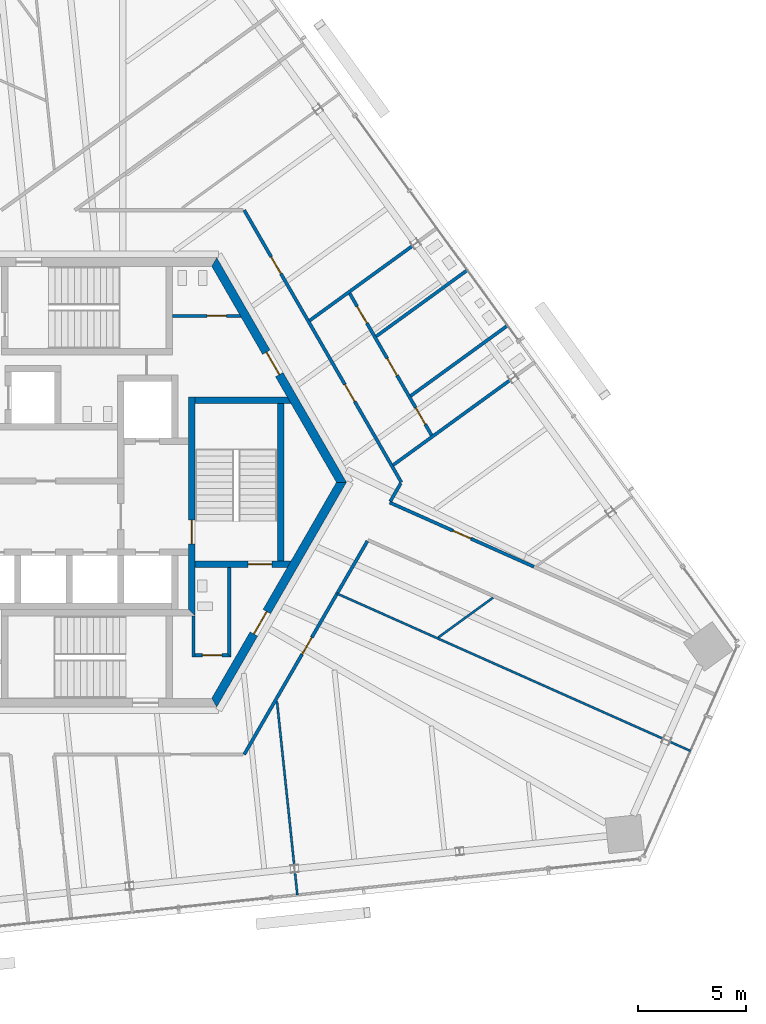
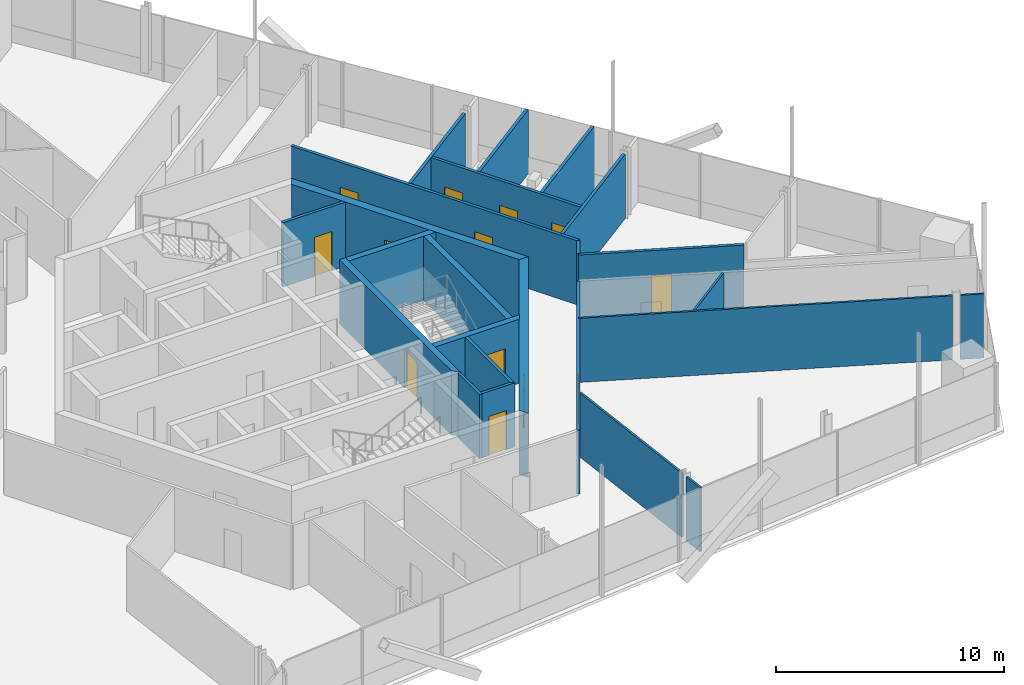
# One storey, part 13 of 21: 24 walls, 13 doors, 13 openings.
"""IFC4 building model written with IfcOpenShell, lengths in metres."""

from ifc_helpers import new_model, si_unit, direction, frame, frame_2d, origin, place, context, subcontext, project, spatial, polyline, rectangle, outline, extrude, source, transform, mapped, material, layer, layer_set, type_object, element, fill, save


model = new_model("IFC4")

# Units and contexts
model_context = context("Model", 3, precision=1e-05, world=origin(), true_north=direction((0.0, 1.0)))
body_context = subcontext(model_context, "Body", "Model", "MODEL_VIEW")
ifc_project = project(units=[si_unit("LENGTHUNIT", "METRE"), si_unit("AREAUNIT", "SQUARE_METRE"), si_unit("VOLUMEUNIT", "CUBIC_METRE"), si_unit("PLANEANGLEUNIT", "RADIAN"), si_unit("MASSUNIT", "GRAM", prefix="KILO")], contexts=[model_context])

# Site, building, storey
site_placement = place(None, origin())
site = spatial("IfcSite", under=ifc_project, at=site_placement, CompositionType="ELEMENT")
building_placement = place(site_placement, origin())
building = spatial("IfcBuilding", under=site, at=building_placement, Name="Triune Harvest Tower", CompositionType="ELEMENT")
storey_placement = place(building_placement, frame((0.0, 0.0, 241.300048828125)))
storey = spatial("IfcBuildingStorey", under=building, at=storey_placement, Name="L63", CompositionType="ELEMENT", Elevation=241.300048828125)

# Wall, openings, doors
ifc_material_1 = material(Name="Gypsum board on steel studs", Category="steel")
ifc_layer_1 = layer(ifc_material_1, 0.14990234375)
ifc_layer_set_1 = layer_set([ifc_layer_1], Name="Gypsum board on steel studs")
wall_type_1 = type_object("IfcWallType", Name="Fire Partition 150 mm", PredefinedType="PARTITIONING", material=ifc_layer_set_1)
wall_1_placement = place(storey_placement, frame((12.114501953125, 8.8017578125, 0.0), z_axis=(0.0, 0.0, 1.0), x_axis=(0.499995228395, -0.866028158654, 0.0)))
wall_1 = element("IfcWall", 1, at=wall_1_placement, inside=storey, type_object=wall_type_1, Name="Partition L63 017", PredefinedType="PARTITIONING", context=body_context, shape_type="SweptSolid", body=[
    extrude(rectangle(XDim=7.7216796875, YDim=0.14990234375, at=frame_2d((3.86083984375, 0.0))), origin(), (0.0, 0.0, 1.0), 3.43994140625),
])
opening_1_placement = place(wall_1_placement, frame((6.171875, 0.0, 0.0)))
opening_1 = element("IfcOpeningElement", 2, at=opening_1_placement, cuts=wall_1, Name="Opening L63-005", PredefinedType="OPENING", context=body_context, shape_type="SweptSolid", body=[
    extrude(rectangle(XDim=0.89990234375, YDim=2.10009765625, at=frame_2d((0.449951171875, 1.050048828125))), frame((0.0, 0.0849609375, 0.0), z_axis=(0.0, -1.0, 0.0), x_axis=(1.0, 0.0, 0.0)), (0.0, 0.0, 1.0), 0.169921875),
])
opening_2_placement = place(wall_1_placement, frame((3.548583984375, 0.0, 0.0)))
opening_2 = element("IfcOpeningElement", 3, at=opening_2_placement, cuts=wall_1, Name="Opening L63-006", PredefinedType="OPENING", context=body_context, shape_type="SweptSolid", body=[
    extrude(rectangle(XDim=0.89990234375, YDim=2.10009765625, at=frame_2d((0.449951171875, 1.050048828125))), frame((0.0, 0.0849609375, 0.0), z_axis=(0.0, -1.0, 0.0), x_axis=(1.0, 0.0, 0.0)), (0.0, 0.0, 1.0), 0.169921875),
])
opening_3_placement = place(wall_1_placement, frame((0.76318359375, 0.0, 0.0)))
opening_3 = element("IfcOpeningElement", 4, at=opening_3_placement, cuts=wall_1, Name="Opening L63-007", PredefinedType="OPENING", context=body_context, shape_type="SweptSolid", body=[
    extrude(rectangle(XDim=0.89990234375, YDim=2.10009765625, at=frame_2d((0.449951171875, 1.050048828125))), frame((0.0, 0.0849609375, 0.0), z_axis=(0.0, -1.0, 0.0), x_axis=(1.0, 0.0, 0.0)), (0.0, 0.0, 1.0), 0.169921875),
])
ifc_material_2 = material(Name="Timber and steel door set", Category="steel")
door_type_1 = type_object("IfcDoorType", Name="Single leaf door FD30 left hand 900 x 2100", OperationType="SINGLE_SWING_LEFT", PredefinedType="DOOR", material=ifc_material_2)
door_1_placement = place(opening_3_placement, origin())
door_1 = element("IfcDoor", 5, at=door_1_placement, inside=storey, type_object=door_type_1, Name="Door L63-007 Accessible WC 63.07", OperationType="SINGLE_SWING_LEFT", OverallHeight=2.10009765625, OverallWidth=0.89990234375, PredefinedType="DOOR", context=body_context, shape_type="SweptSolid", body=[
    extrude(rectangle(XDim=0.89990234375, YDim=2.10009765625, at=frame_2d((0.449951171875, 1.050048828125))), frame((0.0, 0.02490234375, 0.0), z_axis=(0.0, -1.0, 0.0), x_axis=(1.0, 0.0, 0.0)), (0.0, 0.0, 1.0), 0.050048828125),
])
fill(opening_3, door_1)
ifc_material_3 = material(Name="Timber and steel door set", Category="steel")
door_type_2 = type_object("IfcDoorType", Name="Single leaf door FD30 right hand 900 x 2100", OperationType="SINGLE_SWING_RIGHT", PredefinedType="DOOR", material=ifc_material_3)
door_2_placement = place(opening_1_placement, origin())
door_2 = element("IfcDoor", 6, at=door_2_placement, inside=storey, type_object=door_type_2, Name="Door L63-005 Women's WC 63.05", OperationType="SINGLE_SWING_RIGHT", OverallHeight=2.10009765625, OverallWidth=0.89990234375, PredefinedType="DOOR", context=body_context, shape_type="SweptSolid", body=[
    extrude(rectangle(XDim=0.89990234375, YDim=2.10009765625, at=frame_2d((0.449951171875, 1.050048828125))), frame((0.0, 0.02490234375, 0.0), z_axis=(0.0, -1.0, 0.0), x_axis=(1.0, 0.0, 0.0)), (0.0, 0.0, 1.0), 0.050048828125),
])
fill(opening_1, door_2)
door_3_placement = place(opening_2_placement, origin())
door_3 = element("IfcDoor", 7, at=door_3_placement, inside=storey, type_object=door_type_2, Name="Door L63-006 Men's WC 63.06", OperationType="SINGLE_SWING_RIGHT", OverallHeight=2.10009765625, OverallWidth=0.89990234375, PredefinedType="DOOR", context=body_context, shape_type="SweptSolid", body=[
    extrude(rectangle(XDim=0.89990234375, YDim=2.10009765625, at=frame_2d((0.449951171875, 1.050048828125))), frame((0.0, 0.02490234375, 0.0), z_axis=(0.0, -1.0, 0.0), x_axis=(1.0, 0.0, 0.0)), (0.0, 0.0, 1.0), 0.050048828125),
])
fill(opening_2, door_3)

# Wall, opening, door
wall_2_placement = place(storey_placement, frame((14.000244140625, -0.935546875, 0.0), z_axis=(0.0, 0.0, 1.0), x_axis=(0.913546612012, -0.40673405031, 0.0)))
wall_2 = element("IfcWall", 8, at=wall_2_placement, inside=storey, type_object=wall_type_1, Name="Partition L63 026", PredefinedType="PARTITIONING", context=body_context, shape_type="SweptSolid", body=[
    extrude(rectangle(XDim=7.301513671875, YDim=0.14990234375, at=frame_2d((3.65087890625, 0.0))), origin(), (0.0, 0.0, 1.0), 3.43994140625),
])
opening_4_placement = place(wall_2_placement, frame((3.208740234375, 0.0, 0.0)))
opening_4 = element("IfcOpeningElement", 9, at=opening_4_placement, cuts=wall_2, Name="Opening L63-003", PredefinedType="OPENING", context=body_context, shape_type="SweptSolid", body=[
    extrude(rectangle(XDim=0.89990234375, YDim=2.10009765625, at=frame_2d((0.449951171875, 1.050048828125))), frame((0.0, 0.0849609375, 0.0), z_axis=(0.0, -1.0, 0.0), x_axis=(1.0, 0.0, 0.0)), (0.0, 0.0, 1.0), 0.169921875),
])
door_4_placement = place(opening_4_placement, origin())
door_4 = element("IfcDoor", 10, at=door_4_placement, inside=storey, type_object=door_type_1, Name="Door L63-003 Project Room 63.03", OperationType="SINGLE_SWING_LEFT", OverallHeight=2.10009765625, OverallWidth=0.89990234375, PredefinedType="DOOR", context=body_context, shape_type="SweptSolid", body=[
    extrude(rectangle(XDim=0.89990234375, YDim=2.10009765625, at=frame_2d((0.449951171875, 1.050048828125))), frame((0.0, 0.02490234375, 0.0), z_axis=(0.0, -1.0, 0.0), x_axis=(1.0, 0.0, 0.0)), (0.0, 0.0, 1.0), 0.050048828125),
])
fill(opening_4, door_4)

# Walls
wall_3_placement = place(storey_placement, frame((14.15283203125, 0.790283203125, 0.0), z_axis=(0.0, 0.0, 1.0), x_axis=(0.809008364144, 0.587797130602, 0.0)))
element("IfcWall", 11, at=wall_3_placement, inside=storey, type_object=wall_type_1, Name="Partition L63 039", PredefinedType="PARTITIONING", context=body_context, shape_type="SweptSolid", body=[
    extrude(rectangle(XDim=6.705810546875, YDim=0.14990234375, at=frame_2d((3.35302734375, 0.0))), origin(), (0.0, 0.0, 1.0), 3.43994140625),
])
wall_4_placement = place(storey_placement, frame((14.962158203125, 3.98876953125, 0.0), z_axis=(0.0, 0.0, 1.0), x_axis=(0.809032498403, 0.587763912237, 0.0)))
element("IfcWall", 12, at=wall_4_placement, inside=storey, type_object=wall_type_1, Name="Partition L63 041", PredefinedType="PARTITIONING", context=body_context, shape_type="SweptSolid", body=[
    extrude(rectangle(XDim=5.554443359375, YDim=0.14990234375, at=frame_2d((2.77734375, 0.0))), origin(), (0.0, 0.0, 1.0), 3.43994140625),
])
wall_5_placement = place(storey_placement, frame((13.36962890625, 6.7470703125, 0.0), z_axis=(0.0, 0.0, 1.0), x_axis=(0.809025117745, 0.58777407127, 0.0)))
element("IfcWall", 13, at=wall_5_placement, inside=storey, type_object=wall_type_1, Name="Partition L63 042", PredefinedType="PARTITIONING", context=body_context, shape_type="SweptSolid", body=[
    extrude(rectangle(XDim=5.221435546875, YDim=0.14990234375, at=frame_2d((2.61083984375, 0.0))), origin(), (0.0, 0.0, 1.0), 3.43994140625),
])
wall_6_placement = place(storey_placement, frame((10.2919921875, 7.4775390625, 0.0), z_axis=(0.0, 0.0, 1.0), x_axis=(0.809016999343, 0.587785245455, 0.0)))
element("IfcWall", 14, at=wall_6_placement, inside=storey, type_object=wall_type_1, Name="Partition L63 044", PredefinedType="PARTITIONING", context=body_context, shape_type="SweptSolid", body=[
    extrude(rectangle(XDim=5.8984375, YDim=0.14990234375, at=frame_2d((2.94921875, 0.0))), origin(), (0.0, 0.0, 1.0), 3.43994140625),
])

# Wall, opening, door
wall_7_placement = place(storey_placement, frame((7.2705078125, -12.59228515625, 0.0), z_axis=(0.0, 0.0, 1.0), x_axis=(0.499972122318, 0.866041498374, 0.0)))
wall_7 = element("IfcWall", 15, at=wall_7_placement, inside=storey, type_object=wall_type_1, Name="Partition L63 053", PredefinedType="PARTITIONING", context=body_context, shape_type="SweptSolid", body=[
    extrude(rectangle(XDim=11.399169921875, YDim=0.14990234375, at=frame_2d((5.69970703125, 0.0))), origin(), (0.0, 0.0, 1.0), 3.43994140625),
])
opening_5_placement = place(wall_7_placement, frame((5.353515625, 0.0, 0.0)))
opening_5 = element("IfcOpeningElement", 16, at=opening_5_placement, cuts=wall_7, Name="Opening L63-024", PredefinedType="OPENING", context=body_context, shape_type="SweptSolid", body=[
    extrude(rectangle(XDim=0.89990234375, YDim=2.10009765625, at=frame_2d((0.449951171875, 1.050048828125))), frame((0.0, 0.0849609375, 0.0), z_axis=(0.0, -1.0, 0.0), x_axis=(1.0, 0.0, 0.0)), (0.0, 0.0, 1.0), 0.169921875),
])
door_5_placement = place(opening_5_placement, origin())
door_5 = element("IfcDoor", 17, at=door_5_placement, inside=storey, type_object=door_type_1, Name="Door L63-024 Pantry 63.24", OperationType="SINGLE_SWING_LEFT", OverallHeight=2.10009765625, OverallWidth=0.89990234375, PredefinedType="DOOR", context=body_context, shape_type="SweptSolid", body=[
    extrude(rectangle(XDim=0.89990234375, YDim=2.10009765625, at=frame_2d((0.449951171875, 1.050048828125))), frame((0.0, 0.02490234375, 0.0), z_axis=(0.0, -1.0, 0.0), x_axis=(1.0, 0.0, 0.0)), (0.0, 0.0, 1.0), 0.050048828125),
])
fill(opening_5, door_5)

# Walls
ifc_material_4 = material(Name="Gypsum board on steel studs", Category="steel")
ifc_layer_2 = layer(ifc_material_4, 0.10009765625)
ifc_layer_set_2 = layer_set([ifc_layer_2], Name="Gypsum board on steel studs")
wall_type_2 = type_object("IfcWallType", Name="Partition 100 mm", PredefinedType="PARTITIONING", material=ifc_layer_set_2)
wall_8_placement = place(storey_placement, frame((8.78857421875, -10.150390625, 0.0), z_axis=(0.0, 0.0, 1.0), x_axis=(0.104536087369, -0.994521094013, 0.0)))
element("IfcWall", 18, at=wall_8_placement, inside=storey, type_object=wall_type_2, Name="Partition L63 013", PredefinedType="PARTITIONING", context=body_context, shape_type="SweptSolid", body=[
    extrude(rectangle(XDim=7.606689453125, YDim=0.10009765625, at=frame_2d((3.80322265625, 0.0))), origin(), (0.0, 0.0, 1.0), 3.43994140625),
])
wall_9_placement = place(storey_placement, frame((11.56689453125, -5.14990234375, 0.0), z_axis=(0.0, 0.0, 1.0), x_axis=(0.913548030492, -0.406730864311, 0.0)))
element("IfcWall", 19, at=wall_9_placement, inside=storey, type_object=wall_type_2, Name="Partition L63 021", PredefinedType="PARTITIONING", context=body_context, shape_type="SweptSolid", body=[
    extrude(rectangle(XDim=16.5166015625, YDim=0.10009765625, at=frame_2d((8.25830078125, 0.0))), origin(), (0.0, 0.0, 1.0), 3.43994140625),
])

# Wall, opening, door
ifc_material_5 = material(Name="Concrete 70 MPa", Category="concrete")
ifc_layer_3 = layer(ifc_material_5, 0.39990234375)
ifc_layer_set_3 = layer_set([ifc_layer_3], Name="Concrete 70 MPa")
wall_type_3 = type_object("IfcWallType", Name="Core wall 400", PredefinedType="SHEAR", material=ifc_layer_set_3)
shared_shape_1 = source(origin(), body_context, "Body", "SweptSolid", [
    extrude(outline(polyline([(-0.115478515625, -0.199951171875), (11.884521484375, -0.199951171875), (11.653564453125, 0.199951171875), (0.115478515625, 0.199951171875), (-0.115478515625, -0.199951171875)])), origin(), (0.0, 0.0, 1.0), 3.43994140625),
])
wall_10_placement = place(storey_placement, frame((11.76904296875, 0.0, 0.0), z_axis=(0.0, 0.0, 1.0), x_axis=(-0.499996592174, 0.866027371285, 0.0)))
wall_10 = element("IfcWall", 20, at=wall_10_placement, inside=storey, type_object=wall_type_3, Name="Hexagon 0 wall", PredefinedType="SHEAR", context=body_context, shape_type="MappedRepresentation", body=[
    mapped(shared_shape_1, transform((0.0, 0.0, 0.0), scale=1.0)),
])
opening_6_placement = place(wall_10_placement, frame((5.75048828125, 0.0, 0.0)))
opening_6 = element("IfcOpeningElement", 21, at=opening_6_placement, cuts=wall_10, Name="Opening CD-WCP", PredefinedType="OPENING", context=body_context, shape_type="SweptSolid", body=[
    extrude(rectangle(XDim=1.199951171875, YDim=2.10009765625, at=frame_2d((0.60009765625, 1.050048828125))), frame((0.0, 0.2099609375, 0.0), z_axis=(0.0, -1.0, 0.0), x_axis=(1.0, 0.0, 0.0)), (0.0, 0.0, 1.0), 0.419921875),
])
ifc_material_6 = material(Name="Steel S235", Category="steel")
door_type_3 = type_object("IfcDoorType", Name="Lobby door 1200 FD120", OperationType="SINGLE_SWING_LEFT", PredefinedType="DOOR", material=ifc_material_6)
door_6_placement = place(opening_6_placement, frame((1.199951171875, 0.0, 0.0), z_axis=(0.0, 0.0, 1.0), x_axis=(-1.0, 0.0, 0.0)))
door_6 = element("IfcDoor", 22, at=door_6_placement, inside=storey, type_object=door_type_3, Name="Door CD-WCP", OperationType="SINGLE_SWING_RIGHT", OverallHeight=2.10009765625, OverallWidth=1.199951171875, PredefinedType="DOOR", context=body_context, shape_type="SweptSolid", body=[
    extrude(rectangle(XDim=1.199951171875, YDim=2.10009765625, at=frame_2d((0.60009765625, 1.050048828125))), frame((0.0, 0.02490234375, 0.0), z_axis=(0.0, -1.0, 0.0), x_axis=(1.0, 0.0, 0.0)), (0.0, 0.0, 1.0), 0.050048828125),
])
fill(opening_6, door_6)

wall_11_placement = place(storey_placement, frame((5.884521484375, -10.1923828125, 0.0), z_axis=(0.0, 0.0, 1.0), x_axis=(0.499996592174, 0.866027371285, 0.0)))
wall_11 = element("IfcWall", 23, at=wall_11_placement, inside=storey, type_object=wall_type_3, Name="Hexagon 5 wall", PredefinedType="SHEAR", context=body_context, shape_type="MappedRepresentation", body=[
    mapped(shared_shape_1, transform((0.0, 0.0, 0.0), scale=1.0)),
])
opening_7_placement = place(wall_11_placement, frame((3.66455078125, 0.0, 0.0)))
opening_7 = element("IfcOpeningElement", 24, at=opening_7_placement, cuts=wall_11, Name="Opening CD-DP", PredefinedType="OPENING", context=body_context, shape_type="SweptSolid", body=[
    extrude(rectangle(XDim=1.199951171875, YDim=2.10009765625, at=frame_2d((0.60009765625, 1.050048828125))), frame((0.0, 0.2099609375, 0.0), z_axis=(0.0, -1.0, 0.0), x_axis=(1.0, 0.0, 0.0)), (0.0, 0.0, 1.0), 0.419921875),
])
ifc_material_7 = material(Name="Steel S235", Category="steel")
door_type_4 = type_object("IfcDoorType", Name="Stair door 1200 FD120", OperationType="SINGLE_SWING_LEFT", PredefinedType="DOOR", material=ifc_material_7)
door_7_placement = place(opening_7_placement, frame((1.199951171875, 0.0, 0.0), z_axis=(0.0, 0.0, 1.0), x_axis=(-1.0, 0.0, 0.0)))
door_7 = element("IfcDoor", 25, at=door_7_placement, inside=storey, type_object=door_type_4, Name="Door CD-DP", OperationType="SINGLE_SWING_RIGHT", OverallHeight=2.10009765625, OverallWidth=1.199951171875, PredefinedType="DOOR", context=body_context, shape_type="SweptSolid", body=[
    extrude(rectangle(XDim=1.199951171875, YDim=2.10009765625, at=frame_2d((0.60009765625, 1.050048828125))), frame((0.0, 0.02490234375, 0.0), z_axis=(0.0, -1.0, 0.0), x_axis=(1.0, 0.0, 0.0)), (0.0, 0.0, 1.0), 0.050048828125),
])
fill(opening_7, door_7)

ifc_material_8 = material(Name="Concrete 70 MPa", Category="concrete")
ifc_layer_4 = layer(ifc_material_8, 0.300048828125)
ifc_layer_set_4 = layer_set([ifc_layer_4], Name="Concrete 70 MPa")
wall_type_4 = type_object("IfcWallType", Name="Core wall 300", PredefinedType="SHEAR", material=ifc_layer_set_4)
shared_shape_2 = source(origin(), body_context, "Body", "SweptSolid", [
    extrude(outline(polyline([(-0.14990234375, -0.14990234375), (9.989990234375, -0.14990234375), (9.989990234375, 0.14990234375), (0.14990234375, 0.14990234375), (-0.14990234375, -0.14990234375)])), origin(), (0.0, 0.0, 1.0), 3.43994140625),
])
wall_12_placement = place(storey_placement, frame((4.85009765625, -6.0400390625, 0.0), z_axis=(0.0, 0.0, 1.0), x_axis=(0.0, 1.0, 0.0)))
wall_12 = element("IfcWall", 26, at=wall_12_placement, inside=storey, type_object=wall_type_4, Name="Stair e west wall", PredefinedType="SHEAR", context=body_context, shape_type="MappedRepresentation", body=[
    mapped(shared_shape_2, transform((0.0, 0.0, 0.0), scale=1.0)),
])
opening_8_placement = place(wall_12_placement, frame((3.18994140625, 0.0, 0.0)))
opening_8 = element("IfcOpeningElement", 27, at=opening_8_placement, cuts=wall_12, Name="Opening CD-S3L", PredefinedType="OPENING", context=body_context, shape_type="SweptSolid", body=[
    extrude(rectangle(XDim=1.10009765625, YDim=2.10009765625, at=frame_2d((0.550048828125, 1.050048828125))), frame((0.0, 0.16015625, 0.0), z_axis=(0.0, -1.0, 0.0), x_axis=(1.0, 0.0, 0.0)), (0.0, 0.0, 1.0), 0.320068359375),
])
ifc_material_9 = material(Name="Steel S235", Category="steel")
door_type_5 = type_object("IfcDoorType", Name="Stair door 1100 FD120", OperationType="SINGLE_SWING_LEFT", PredefinedType="DOOR", material=ifc_material_9)
door_8_placement = place(opening_8_placement, frame((1.10009765625, 0.0, 0.0), z_axis=(0.0, 0.0, 1.0), x_axis=(-1.0, 0.0, 0.0)))
door_8 = element("IfcDoor", 28, at=door_8_placement, inside=storey, type_object=door_type_5, Name="Door CD-S3L", OperationType="SINGLE_SWING_RIGHT", OverallHeight=2.10009765625, OverallWidth=1.10009765625, PredefinedType="DOOR", context=body_context, shape_type="SweptSolid", body=[
    extrude(rectangle(XDim=1.10009765625, YDim=2.10009765625, at=frame_2d((0.550048828125, 1.050048828125))), frame((0.0, 0.02490234375, 0.0), z_axis=(0.0, -1.0, 0.0), x_axis=(1.0, 0.0, 0.0)), (0.0, 0.0, 1.0), 0.050048828125),
])
fill(opening_8, door_8)

# Wall
shared_shape_3 = source(origin(), body_context, "Body", "SweptSolid", [
    extrude(outline(polyline([(0.0, -0.14990234375), (0.0, 0.14990234375), (4.260009765625, 0.14990234375), (4.43310546875, -0.14990234375), (0.0, -0.14990234375)])), origin(), (0.0, 0.0, 1.0), 3.43994140625),
])
wall_13_placement = place(storey_placement, frame((5.0, 3.800048828125, 0.0), z_axis=(0.0, 0.0, 1.0), x_axis=(1.0, 0.0, 0.0)))
element("IfcWall", 29, at=wall_13_placement, inside=storey, type_object=wall_type_4, Name="Stair e north wall", PredefinedType="SHEAR", context=body_context, shape_type="MappedRepresentation", body=[
    mapped(shared_shape_3, transform((0.0, 0.0, 0.0), scale=1.0)),
])

# Wall, opening, door
shared_shape_4 = source(origin(), body_context, "Body", "SweptSolid", [
    extrude(outline(polyline([(0.0, -0.14990234375), (0.0, 0.14990234375), (4.43310546875, 0.14990234375), (4.260009765625, -0.14990234375), (0.0, -0.14990234375)])), origin(), (0.0, 0.0, 1.0), 3.43994140625),
])
wall_14_placement = place(storey_placement, frame((5.0, -3.800048828125, 0.0), z_axis=(0.0, 0.0, 1.0), x_axis=(1.0, 0.0, 0.0)))
wall_14 = element("IfcWall", 30, at=wall_14_placement, inside=storey, type_object=wall_type_4, Name="Stair e south wall", PredefinedType="SHEAR", context=body_context, shape_type="MappedRepresentation", body=[
    mapped(shared_shape_4, transform((0.0, 0.0, 0.0), scale=1.0)),
])
opening_9_placement = place(wall_14_placement, frame((2.449951171875, 0.0, 0.0)))
opening_9 = element("IfcOpeningElement", 31, at=opening_9_placement, cuts=wall_14, Name="Opening CD-S3D", PredefinedType="OPENING", context=body_context, shape_type="SweptSolid", body=[
    extrude(rectangle(XDim=1.10009765625, YDim=2.10009765625, at=frame_2d((0.550048828125, 1.050048828125))), frame((0.0, 0.16015625, 0.0), z_axis=(0.0, -1.0, 0.0), x_axis=(1.0, 0.0, 0.0)), (0.0, 0.0, 1.0), 0.320068359375),
])
door_9_placement = place(opening_9_placement, frame((1.10009765625, 0.0, 0.0), z_axis=(0.0, 0.0, 1.0), x_axis=(-1.0, 0.0, 0.0)))
door_9 = element("IfcDoor", 32, at=door_9_placement, inside=storey, type_object=door_type_5, Name="Door CD-S3D", OperationType="SINGLE_SWING_RIGHT", OverallHeight=2.10009765625, OverallWidth=1.10009765625, PredefinedType="DOOR", context=body_context, shape_type="SweptSolid", body=[
    extrude(rectangle(XDim=1.10009765625, YDim=2.10009765625, at=frame_2d((0.550048828125, 1.050048828125))), frame((0.0, 0.02490234375, 0.0), z_axis=(0.0, -1.0, 0.0), x_axis=(1.0, 0.0, 0.0)), (0.0, 0.0, 1.0), 0.050048828125),
])
fill(opening_9, door_9)

# Wall
shared_shape_5 = source(origin(), body_context, "Body", "SweptSolid", [
    extrude(rectangle(XDim=7.2998046875, YDim=0.300048828125, at=frame_2d((3.64990234375, 0.0))), origin(), (0.0, 0.0, 1.0), 3.43994140625),
])
wall_15_placement = place(storey_placement, frame((8.949951171875, -3.64990234375, 0.0), z_axis=(0.0, 0.0, 1.0), x_axis=(0.0, 1.0, 0.0)))
element("IfcWall", 33, at=wall_15_placement, inside=storey, type_object=wall_type_4, Name="Stair e east wall", PredefinedType="SHEAR", context=body_context, shape_type="MappedRepresentation", body=[
    mapped(shared_shape_5, transform((0.0, 0.0, 0.0), scale=1.0)),
])

# Wall, opening, door
ifc_material_10 = material(Name="Concrete masonry unit", Category="masonry")
ifc_layer_5 = layer(ifc_material_10, 0.14990234375)
ifc_layer_set_5 = layer_set([ifc_layer_5], Name="Concrete masonry unit")
wall_type_5 = type_object("IfcWallType", Name="Block partition 150 unrated", PredefinedType="PARTITIONING", material=ifc_layer_set_5)
shared_shape_6 = source(origin(), body_context, "Body", "SweptSolid", [
    extrude(outline(polyline([(0.0, -0.074951171875), (1.64990234375, -0.074951171875), (1.5, 0.074951171875), (0.0, 0.074951171875), (0.0, -0.074951171875)])), origin(), (0.0, 0.0, 1.0), 3.43994140625),
])
wall_16_placement = place(storey_placement, frame((5.0, -8.0, 0.0), z_axis=(0.0, 0.0, 1.0), x_axis=(1.0, 0.0, 0.0)))
wall_16 = element("IfcWall", 34, at=wall_16_placement, inside=storey, type_object=wall_type_5, Name="Wc acc south wall", PredefinedType="PARTITIONING", context=body_context, shape_type="MappedRepresentation", body=[
    mapped(shared_shape_6, transform((0.0, 0.0, 0.0), scale=1.0)),
])
opening_10_placement = place(wall_16_placement, frame((0.33740234375, 0.0, 0.0)))
opening_10 = element("IfcOpeningElement", 35, at=opening_10_placement, cuts=wall_16, Name="Opening CD-WA", PredefinedType="OPENING", context=body_context, shape_type="SweptSolid", body=[
    extrude(rectangle(XDim=0.89990234375, YDim=2.10009765625, at=frame_2d((0.449951171875, 1.050048828125))), frame((0.0, 0.0849609375, 0.0), z_axis=(0.0, -1.0, 0.0), x_axis=(1.0, 0.0, 0.0)), (0.0, 0.0, 1.0), 0.169921875),
])
ifc_material_11 = material(Name="Timber C24", Category="wood")
door_type_6 = type_object("IfcDoorType", Name="WC door 900", OperationType="SINGLE_SWING_LEFT", PredefinedType="DOOR", material=ifc_material_11)
door_10_placement = place(opening_10_placement, origin())
door_10 = element("IfcDoor", 36, at=door_10_placement, inside=storey, type_object=door_type_6, Name="Door CD-WA", OperationType="SINGLE_SWING_LEFT", OverallHeight=2.10009765625, OverallWidth=0.89990234375, PredefinedType="DOOR", context=body_context, shape_type="SweptSolid", body=[
    extrude(rectangle(XDim=0.89990234375, YDim=2.10009765625, at=frame_2d((0.449951171875, 1.050048828125))), frame((0.0, 0.02490234375, 0.0), z_axis=(0.0, -1.0, 0.0), x_axis=(1.0, 0.0, 0.0)), (0.0, 0.0, 1.0), 0.050048828125),
])
fill(opening_10, door_10)

# Walls
shared_shape_7 = source(origin(), body_context, "Body", "SweptSolid", [
    extrude(outline(polyline([(-0.074951171875, -0.074951171875), (4.050048828125, -0.074951171875), (4.050048828125, 0.074951171875), (0.074951171875, 0.074951171875), (-0.074951171875, -0.074951171875)])), origin(), (0.0, 0.0, 1.0), 3.43994140625),
])
wall_17_placement = place(storey_placement, frame((6.574951171875, -8.0, 0.0), z_axis=(0.0, 0.0, 1.0), x_axis=(0.0, 1.0, 0.0)))
element("IfcWall", 37, at=wall_17_placement, inside=storey, type_object=wall_type_5, Name="Wc acc east wall", PredefinedType="PARTITIONING", context=body_context, shape_type="MappedRepresentation", body=[
    mapped(shared_shape_7, transform((0.0, 0.0, 0.0), scale=1.0)),
])
shared_shape_8 = source(origin(), body_context, "Body", "SweptSolid", [
    extrude(rectangle(XDim=1.885009765625, YDim=0.14990234375, at=frame_2d((0.9423828125, 0.0))), origin(), (0.0, 0.0, 1.0), 3.43994140625),
])
wall_18_placement = place(storey_placement, frame((4.925048828125, -8.074951171875, 0.0), z_axis=(0.0, 0.0, 1.0), x_axis=(0.0, 1.0, 0.0)))
element("IfcWall", 38, at=wall_18_placement, inside=storey, type_object=wall_type_5, Name="Wc acc west wall", PredefinedType="PARTITIONING", context=body_context, shape_type="MappedRepresentation", body=[
    mapped(shared_shape_8, transform((0.0, 0.0, 0.0), scale=1.0)),
])

# Wall, opening, door
shared_shape_9 = source(origin(), body_context, "Body", "SweptSolid", [
    extrude(outline(polyline([(0.0, -0.074951171875), (0.0, 0.074951171875), (3.1015625, 0.074951171875), (3.18798828125, -0.074951171875), (0.0, -0.074951171875)])), origin(), (0.0, 0.0, 1.0), 3.43994140625),
])
wall_19_placement = place(storey_placement, frame((3.949951171875, 7.699951171875, 0.0), z_axis=(0.0, 0.0, 1.0), x_axis=(1.0, 0.0, 0.0)))
wall_19 = element("IfcWall", 39, at=wall_19_placement, inside=storey, type_object=wall_type_5, Name="Wc women south wall", PredefinedType="PARTITIONING", context=body_context, shape_type="MappedRepresentation", body=[
    mapped(shared_shape_9, transform((0.0, 0.0, 0.0), scale=1.0)),
])
opening_11_placement = place(wall_19_placement, frame((1.60009765625, 0.0, 0.0)))
opening_11 = element("IfcOpeningElement", 40, at=opening_11_placement, cuts=wall_19, Name="Opening CD-WW", PredefinedType="OPENING", context=body_context, shape_type="SweptSolid", body=[
    extrude(rectangle(XDim=0.89990234375, YDim=2.10009765625, at=frame_2d((0.449951171875, 1.050048828125))), frame((0.0, 0.0849609375, 0.0), z_axis=(0.0, -1.0, 0.0), x_axis=(1.0, 0.0, 0.0)), (0.0, 0.0, 1.0), 0.169921875),
])
door_11_placement = place(opening_11_placement, origin())
door_11 = element("IfcDoor", 41, at=door_11_placement, inside=storey, type_object=door_type_6, Name="Door CD-WW", OperationType="SINGLE_SWING_LEFT", OverallHeight=2.10009765625, OverallWidth=0.89990234375, PredefinedType="DOOR", context=body_context, shape_type="SweptSolid", body=[
    extrude(rectangle(XDim=0.89990234375, YDim=2.10009765625, at=frame_2d((0.449951171875, 1.050048828125))), frame((0.0, 0.02490234375, 0.0), z_axis=(0.0, -1.0, 0.0), x_axis=(1.0, 0.0, 0.0)), (0.0, 0.0, 1.0), 0.050048828125),
])
fill(opening_11, door_11)

# Wall, openings, doors
shared_shape_10 = source(origin(), body_context, "Body", "SweptSolid", [
    extrude(rectangle(XDim=14.540283203125, YDim=0.14990234375, at=frame_2d((7.27001953125, 0.0))), origin(), (0.0, 0.0, 1.0), 3.43994140625),
])
wall_20_placement = place(storey_placement, frame((7.27001953125, 12.59228515625, 0.0), z_axis=(0.0, 0.0, 1.0), x_axis=(0.500005387432, -0.866022293327, 0.0)))
wall_20 = element("IfcWall", 42, at=wall_20_placement, inside=storey, type_object=wall_type_1, Name="Partition L63 016", PredefinedType="PARTITIONING", context=body_context, shape_type="MappedRepresentation", body=[
    mapped(shared_shape_10, transform((0.0, 0.0, 0.0), scale=1.0)),
])
opening_12_placement = place(wall_20_placement, frame((9.318603515625, 0.0, 0.0)))
opening_12 = element("IfcOpeningElement", 43, at=opening_12_placement, cuts=wall_20, Name="Opening L63-004", PredefinedType="OPENING", context=body_context, shape_type="SweptSolid", body=[
    extrude(rectangle(XDim=0.89990234375, YDim=2.10009765625, at=frame_2d((0.449951171875, 1.050048828125))), frame((0.0, 0.0849609375, 0.0), z_axis=(0.0, -1.0, 0.0), x_axis=(1.0, 0.0, 0.0)), (0.0, 0.0, 1.0), 0.169921875),
])
opening_13_placement = place(wall_20_placement, frame((2.496826171875, 0.0, 0.0)))
opening_13 = element("IfcOpeningElement", 44, at=opening_13_placement, cuts=wall_20, Name="Opening L63-008", PredefinedType="OPENING", context=body_context, shape_type="SweptSolid", body=[
    extrude(rectangle(XDim=0.89990234375, YDim=2.10009765625, at=frame_2d((0.449951171875, 1.050048828125))), frame((0.0, 0.0849609375, 0.0), z_axis=(0.0, -1.0, 0.0), x_axis=(1.0, 0.0, 0.0)), (0.0, 0.0, 1.0), 0.169921875),
])
door_12_placement = place(opening_13_placement, origin())
door_12 = element("IfcDoor", 45, at=door_12_placement, inside=storey, type_object=door_type_1, Name="Door L63-008 Project Room 63.08", OperationType="SINGLE_SWING_LEFT", OverallHeight=2.10009765625, OverallWidth=0.89990234375, PredefinedType="DOOR", context=body_context, shape_type="SweptSolid", body=[
    extrude(rectangle(XDim=0.89990234375, YDim=2.10009765625, at=frame_2d((0.449951171875, 1.050048828125))), frame((0.0, 0.02490234375, 0.0), z_axis=(0.0, -1.0, 0.0), x_axis=(1.0, 0.0, 0.0)), (0.0, 0.0, 1.0), 0.050048828125),
])
fill(opening_13, door_12)
door_13_placement = place(opening_12_placement, origin())
door_13 = element("IfcDoor", 46, at=door_13_placement, inside=storey, type_object=door_type_2, Name="Door L63-004 WC lobby 63.04", OperationType="SINGLE_SWING_RIGHT", OverallHeight=2.10009765625, OverallWidth=0.89990234375, PredefinedType="DOOR", context=body_context, shape_type="SweptSolid", body=[
    extrude(rectangle(XDim=0.89990234375, YDim=2.10009765625, at=frame_2d((0.449951171875, 1.050048828125))), frame((0.0, 0.02490234375, 0.0), z_axis=(0.0, -1.0, 0.0), x_axis=(1.0, 0.0, 0.0)), (0.0, 0.0, 1.0), 0.050048828125),
])
fill(opening_12, door_13)

# Walls
shared_shape_11 = source(origin(), body_context, "Body", "SweptSolid", [
    extrude(rectangle(XDim=3.128662109375, YDim=0.10009765625, at=frame_2d((1.564453125, 0.0))), origin(), (0.0, 0.0, 1.0), 3.43994140625),
])
wall_21_placement = place(storey_placement, frame((16.250244140625, -7.177978515625, 0.0), z_axis=(0.0, 0.0, 1.0), x_axis=(0.809046416556, 0.587744754003, 0.0)))
element("IfcWall", 47, at=wall_21_placement, inside=storey, type_object=wall_type_2, Name="Partition L63 036", PredefinedType="PARTITIONING", context=body_context, shape_type="MappedRepresentation", body=[
    mapped(shared_shape_11, transform((0.0, 0.0, 0.0), scale=1.0)),
])
shared_shape_12 = source(origin(), body_context, "Body", "SweptSolid", [
    extrude(rectangle(XDim=1.0478515625, YDim=0.10009765625, at=frame_2d((0.52392578125, 0.0))), origin(), (0.0, 0.0, 1.0), 3.43994140625),
])
for number, where, z_axis, x_axis, name in (
    (48, (9.618896484375, -18.04931640625, 0.0), (0.0, 0.0, 1.0), (0.104624136351, -0.994511835069, 0.0), "Partition L63 014"),
    (49, (26.9619140625, -12.004150390625, 0.0), (0.0, 0.0, 1.0), (0.91352309314, -0.406786870855, 0.0), "Partition L63 022"),
):
    element("IfcWall", number, at=place(storey_placement, frame(where, z_axis=z_axis, x_axis=x_axis)), inside=storey, type_object=wall_type_2, Name=name, PredefinedType="PARTITIONING", context=body_context, shape_type="MappedRepresentation", body=[
        mapped(shared_shape_12, transform((0.0, 0.0, 0.0), scale=1.0)),
    ])
shared_shape_13 = source(origin(), body_context, "Body", "SweptSolid", [
    extrude(rectangle(XDim=0.97021484375, YDim=0.14990234375, at=frame_2d((0.485107421875, 0.0))), origin(), (0.0, 0.0, 1.0), 3.43994140625),
])
wall_22_placement = place(storey_placement, frame((14.02978515625, -0.8837890625, 0.0), z_axis=(0.0, 0.0, 1.0), x_axis=(0.500252443376, 0.865879606467, 0.0)))
element("IfcWall", 50, at=wall_22_placement, inside=storey, type_object=wall_type_1, Name="Partition L63 054", PredefinedType="PARTITIONING", context=body_context, shape_type="MappedRepresentation", body=[
    mapped(shared_shape_13, transform((0.0, 0.0, 0.0), scale=1.0)),
])

save(model, "model.ifc")
